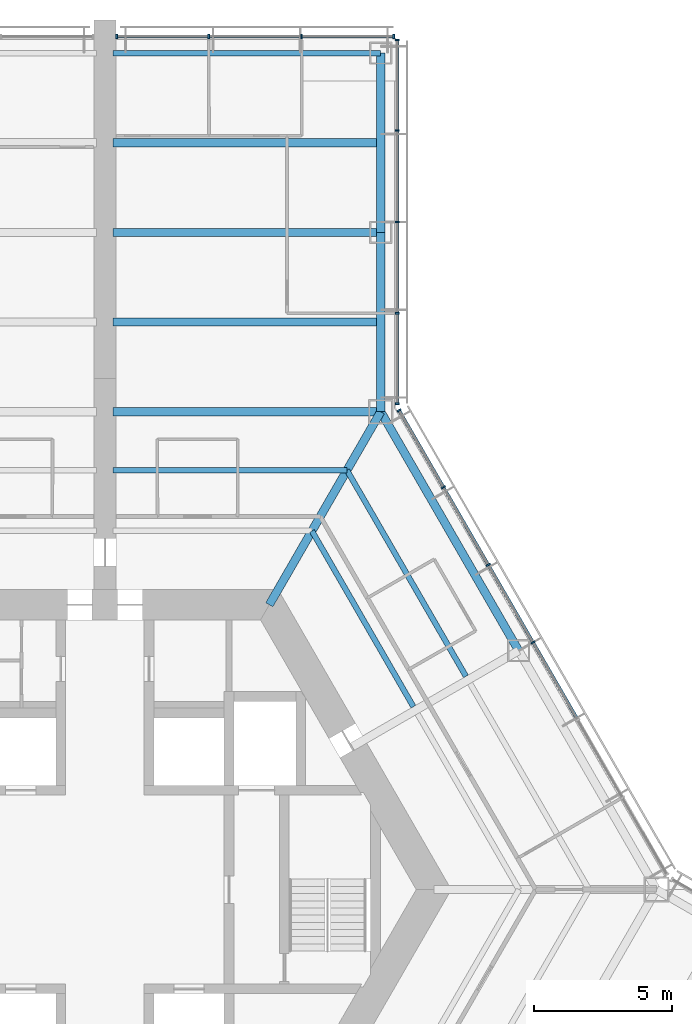
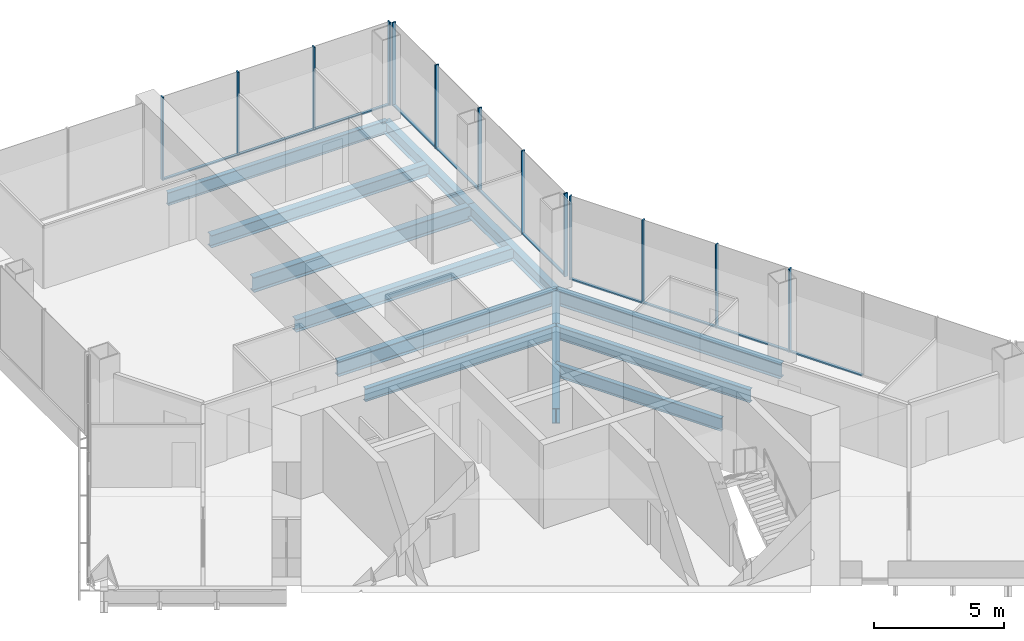
# One storey, part 8 of 18: 24 members, 12 beams, 3 elements without a shape of their own.
"""IFC4 building model written with IfcOpenShell, lengths in metres."""

from ifc_helpers import new_model, si_unit, direction, frame, origin, origin_2d, place, context, subcontext, project, spatial, rectangle, i_section, extrude, material, material_profile, profile_set, type_object, element, aggregate, save


model = new_model("IFC4")

# Units and contexts
model_context = context("Model", 3, precision=1e-05, world=origin(), true_north=direction((0.0, 1.0)))
body_context = subcontext(model_context, "Body", "Model", "MODEL_VIEW")
ifc_project = project(units=[si_unit("LENGTHUNIT", "METRE"), si_unit("AREAUNIT", "SQUARE_METRE"), si_unit("VOLUMEUNIT", "CUBIC_METRE"), si_unit("PLANEANGLEUNIT", "RADIAN"), si_unit("MASSUNIT", "GRAM", prefix="KILO")], contexts=[model_context])

# Site, building, storey
site_placement = place(None, origin())
site = spatial("IfcSite", under=ifc_project, at=site_placement, CompositionType="ELEMENT")
building_placement = place(site_placement, origin())
building = spatial("IfcBuilding", under=site, at=building_placement, Name="Kasaneha Research Tower", CompositionType="ELEMENT")
storey_placement = place(building_placement, frame((0.0, 0.0, 80.699951171875)))
storey = spatial("IfcBuildingStorey", under=building, at=storey_placement, Name="L20", CompositionType="ELEMENT", Elevation=80.699951171875)

# Beams
ifc_material_1 = material(Name="Steel SN490B", Category="steel")
ifc_material_profile_1 = material_profile(ifc_material_1, i_section(OverallWidth=0.199951171875, OverallDepth=0.60009765625, WebThickness=0.010986328125, FlangeThickness=0.01708984375, FilletRadius=0.012939453125, at=origin_2d()), Name="H-600x200x11x17")
ifc_profile_set_1 = profile_set([ifc_material_profile_1], Name="Steel SN490B")
beam_type_1 = type_object("IfcBeamType", Name="B1-3 secondary beam H-600x200x11x17", PredefinedType="JOIST", material=ifc_profile_set_1)
beam_1_placement = place(storey_placement, frame((7.505615234375, 13.0, -0.449951171875), z_axis=(0.499994443168, -0.866028611999, 0.0), x_axis=(0.866028611999, 0.499994443168, 0.0)))
element("IfcBeam", 1, at=beam_1_placement, inside=storey, type_object=beam_type_1, Name="Secondary beam RS030R1 L20", PredefinedType="JOIST", context=body_context, shape_type="SweptSolid", body=[
    extrude(i_section(OverallWidth=0.199951171875, OverallDepth=0.60009765625, WebThickness=0.010986328125, FlangeThickness=0.01708984375, FilletRadius=0.012939453125, at=origin_2d()), origin(), (0.0, 0.0, 1.0), 7.35546875),
])
beam_2_placement = place(storey_placement, frame((8.775634765625, 15.199951171875, -0.449951171875), z_axis=(0.500017275495, -0.866015429543, 0.0), x_axis=(0.866015429543, 0.500017275495, 0.0)))
element("IfcBeam", 2, at=beam_2_placement, inside=storey, type_object=beam_type_1, Name="Secondary beam RS030R2 L20", PredefinedType="JOIST", context=body_context, shape_type="SweptSolid", body=[
    extrude(i_section(OverallWidth=0.199951171875, OverallDepth=0.60009765625, WebThickness=0.010986328125, FlangeThickness=0.01708984375, FilletRadius=0.012939453125, at=origin_2d()), origin(), (0.0, 0.0, 1.0), 8.625732421875),
])
beam_3_placement = place(storey_placement, frame((8.775634765625, 15.199951171875, -0.449951171875), z_axis=(-1.0, 0.0, 0.0), x_axis=(0.0, -1.0, 0.0)))
element("IfcBeam", 3, at=beam_3_placement, inside=storey, type_object=beam_type_1, Name="Secondary beam RS090L2 L20", PredefinedType="JOIST", context=body_context, shape_type="SweptSolid", body=[
    extrude(i_section(OverallWidth=0.199951171875, OverallDepth=0.60009765625, WebThickness=0.010986328125, FlangeThickness=0.01708984375, FilletRadius=0.012939453125, at=origin_2d()), origin(), (0.0, 0.0, 1.0), 8.4755859375),
])
ifc_material_2 = material(Name="Steel SN490B", Category="steel")
ifc_material_profile_2 = material_profile(ifc_material_2, i_section(OverallWidth=0.300048828125, OverallDepth=0.58203125, WebThickness=0.011962890625, FlangeThickness=0.01708984375, FilletRadius=0.012939453125, at=origin_2d()), Name="H-582x300x12x17")
ifc_profile_set_2 = profile_set([ifc_material_profile_2], Name="Steel SN490B")
beam_type_2 = type_object("IfcBeamType", Name="B2-3 secondary beam H-582x300x12x17", PredefinedType="JOIST", material=ifc_profile_set_2)
for number, where, z_axis, x_axis, name in (
    (4, (10.0, 20.570556640625, -0.44091796875), (-1.0, 0.0, 0.0), (0.0, -1.0, 0.0), "Secondary beam WBAP1 L20"),
    (5, (10.0, 27.070556640625, -0.44091796875), (-1.0, 0.0, 0.0), (0.0, -1.0, 0.0), "Secondary beam WBAP2 L20"),
):
    element("IfcBeam", number, at=place(storey_placement, frame(where, z_axis=z_axis, x_axis=x_axis)), inside=storey, type_object=beam_type_2, Name=name, PredefinedType="JOIST", context=body_context, shape_type="SweptSolid", body=[
        extrude(i_section(OverallWidth=0.300048828125, OverallDepth=0.58203125, WebThickness=0.011962890625, FlangeThickness=0.01708984375, FilletRadius=0.012939453125, at=origin_2d()), origin(), (0.0, 0.0, 1.0), 9.699951171875),
    ])

# Curtain wall, members
ifc_material_3 = material(Name="Glass and aluminium", Category="aluminium")
curtain_wall_type = type_object("IfcCurtainWallType", Name="Low-rise office curtain wall", PredefinedType="USERDEFINED", material=ifc_material_3)
curtain_wall_1_placement = place(storey_placement, origin())
curtain_wall_1 = element("IfcCurtainWall", 6, at=curtain_wall_1_placement, inside=storey, type_object=curtain_wall_type, Name="CW-O1 L20 run 07a", ObjectType="UNITISED CURTAIN WALL", PredefinedType="USERDEFINED")
ifc_material_4 = material(Name="Aluminium 6063-T6", Category="aluminium")
ifc_material_profile_3 = material_profile(ifc_material_4, rectangle(XDim=0.06005859375, YDim=0.159912109375, at=origin_2d()), Name="CW-O1 mullion 60x160")
ifc_profile_set_3 = profile_set([ifc_material_profile_3], Name="Aluminium 6063-T6")
member_type_1 = type_object("IfcMemberType", Name="CW-O1 mullion", PredefinedType="MULLION", material=ifc_profile_set_3)
member_1_placement = place(storey_placement, frame((15.51953125, 8.960205078125, 0.0), z_axis=(0.0, 0.0, 1.0), x_axis=(-0.49999996188, 0.866025425793, 0.0)))
member_1 = element("IfcMember", 7, at=member_1_placement, type_object=member_type_1, Name="CW-O1 mullion 4", PredefinedType="MULLION", context=body_context, shape_type="SweptSolid", body=[
    extrude(rectangle(XDim=0.06005859375, YDim=0.159912109375, at=origin_2d()), origin(), (0.0, 0.0, 1.0), 3.900146484375),
])
member_2_placement = place(storey_placement, frame((13.896484375, 11.771728515625, 0.0), z_axis=(0.0, 0.0, 1.0), x_axis=(-0.49999996188, 0.866025425793, 0.0)))
member_2 = element("IfcMember", 8, at=member_2_placement, type_object=member_type_1, Name="CW-O1 mullion 5", PredefinedType="MULLION", context=body_context, shape_type="SweptSolid", body=[
    extrude(rectangle(XDim=0.06005859375, YDim=0.159912109375, at=origin_2d()), origin(), (0.0, 0.0, 1.0), 3.900146484375),
])
member_3_placement = place(storey_placement, frame((12.273193359375, 14.583251953125, 0.0), z_axis=(0.0, 0.0, 1.0), x_axis=(-0.49999996188, 0.866025425793, 0.0)))
member_3 = element("IfcMember", 9, at=member_3_placement, type_object=member_type_1, Name="CW-O1 mullion 6", PredefinedType="MULLION", context=body_context, shape_type="SweptSolid", body=[
    extrude(rectangle(XDim=0.06005859375, YDim=0.159912109375, at=origin_2d()), origin(), (0.0, 0.0, 1.0), 3.900146484375),
])
member_4_placement = place(storey_placement, frame((10.6650390625, 17.36865234375, 0.0), z_axis=(0.0, 0.0, 1.0), x_axis=(-0.49999996188, 0.866025425793, 0.0)))
member_4 = element("IfcMember", 10, at=member_4_placement, type_object=member_type_1, Name="CW-O1 mullion 7", PredefinedType="MULLION", context=body_context, shape_type="SweptSolid", body=[
    extrude(rectangle(XDim=0.06005859375, YDim=0.159912109375, at=origin_2d()), origin(), (0.0, 0.0, 1.0), 3.900146484375),
])

curtain_wall_2_placement = place(storey_placement, origin())
curtain_wall_2 = element("IfcCurtainWall", 11, at=curtain_wall_2_placement, inside=storey, type_object=curtain_wall_type, Name="CW-O1 L20 run 08a", ObjectType="UNITISED CURTAIN WALL", PredefinedType="USERDEFINED")
member_5_placement = place(storey_placement, frame((10.60009765625, 17.611328125, 0.0), z_axis=(0.0, 0.0, 1.0), x_axis=(0.0, 1.0, 0.0)))
member_5 = element("IfcMember", 12, at=member_5_placement, type_object=member_type_1, Name="CW-O1 mullion 1", PredefinedType="MULLION", context=body_context, shape_type="SweptSolid", body=[
    extrude(rectangle(XDim=0.06005859375, YDim=0.159912109375, at=origin_2d()), origin(), (0.0, 0.0, 1.0), 3.900146484375),
])
member_6_placement = place(storey_placement, frame((10.60009765625, 20.89111328125, 0.0), z_axis=(0.0, 0.0, 1.0), x_axis=(0.0, 1.0, 0.0)))
member_6 = element("IfcMember", 13, at=member_6_placement, type_object=member_type_1, Name="CW-O1 mullion 2", PredefinedType="MULLION", context=body_context, shape_type="SweptSolid", body=[
    extrude(rectangle(XDim=0.06005859375, YDim=0.159912109375, at=origin_2d()), origin(), (0.0, 0.0, 1.0), 3.900146484375),
])
member_7_placement = place(storey_placement, frame((10.60009765625, 24.200927734375, 0.0), z_axis=(0.0, 0.0, 1.0), x_axis=(0.0, 1.0, 0.0)))
member_7 = element("IfcMember", 14, at=member_7_placement, type_object=member_type_1, Name="CW-O1 mullion 3", PredefinedType="MULLION", context=body_context, shape_type="SweptSolid", body=[
    extrude(rectangle(XDim=0.06005859375, YDim=0.159912109375, at=origin_2d()), origin(), (0.0, 0.0, 1.0), 3.900146484375),
])
member_8_placement = place(storey_placement, frame((10.60009765625, 27.5107421875, 0.0), z_axis=(0.0, 0.0, 1.0), x_axis=(0.0, 1.0, 0.0)))
member_8 = element("IfcMember", 15, at=member_8_placement, type_object=member_type_1, Name="CW-O1 mullion 4", PredefinedType="MULLION", context=body_context, shape_type="SweptSolid", body=[
    extrude(rectangle(XDim=0.06005859375, YDim=0.159912109375, at=origin_2d()), origin(), (0.0, 0.0, 1.0), 3.900146484375),
])
member_9_placement = place(storey_placement, frame((10.60009765625, 30.79052734375, 0.0), z_axis=(0.0, 0.0, 1.0), x_axis=(0.0, 1.0, 0.0)))
member_9 = element("IfcMember", 16, at=member_9_placement, type_object=member_type_1, Name="CW-O1 mullion 5", PredefinedType="MULLION", context=body_context, shape_type="SweptSolid", body=[
    extrude(rectangle(XDim=0.06005859375, YDim=0.159912109375, at=origin_2d()), origin(), (0.0, 0.0, 1.0), 3.900146484375),
])

curtain_wall_3_placement = place(storey_placement, origin())
curtain_wall_3 = element("IfcCurtainWall", 17, at=curtain_wall_3_placement, inside=storey, type_object=curtain_wall_type, Name="CW-O1 L20 run 09a", ObjectType="UNITISED CURTAIN WALL", PredefinedType="USERDEFINED")
member_10_placement = place(storey_placement, frame((10.469970703125, 30.92041015625, 0.0), z_axis=(0.0, 0.0, 1.0), x_axis=(-1.0, 0.0, 0.0)))
member_10 = element("IfcMember", 18, at=member_10_placement, type_object=member_type_1, Name="CW-O1 mullion 1", PredefinedType="MULLION", context=body_context, shape_type="SweptSolid", body=[
    extrude(rectangle(XDim=0.06005859375, YDim=0.159912109375, at=origin_2d()), origin(), (0.0, 0.0, 1.0), 3.900146484375),
])
member_11_placement = place(storey_placement, frame((7.13330078125, 30.92041015625, 0.0), z_axis=(0.0, 0.0, 1.0), x_axis=(-1.0, 0.0, 0.0)))
member_11 = element("IfcMember", 19, at=member_11_placement, type_object=member_type_1, Name="CW-O1 mullion 2", PredefinedType="MULLION", context=body_context, shape_type="SweptSolid", body=[
    extrude(rectangle(XDim=0.06005859375, YDim=0.159912109375, at=origin_2d()), origin(), (0.0, 0.0, 1.0), 3.900146484375),
])
member_12_placement = place(storey_placement, frame((3.7666015625, 30.92041015625, 0.0), z_axis=(0.0, 0.0, 1.0), x_axis=(-1.0, 0.0, 0.0)))
member_12 = element("IfcMember", 20, at=member_12_placement, type_object=member_type_1, Name="CW-O1 mullion 3", PredefinedType="MULLION", context=body_context, shape_type="SweptSolid", body=[
    extrude(rectangle(XDim=0.06005859375, YDim=0.159912109375, at=origin_2d()), origin(), (0.0, 0.0, 1.0), 3.900146484375),
])
member_13_placement = place(storey_placement, frame((0.429931640625, 30.92041015625, 0.0), z_axis=(0.0, 0.0, 1.0), x_axis=(-1.0, 0.0, 0.0)))
member_13 = element("IfcMember", 21, at=member_13_placement, type_object=member_type_1, Name="CW-O1 mullion 4", PredefinedType="MULLION", context=body_context, shape_type="SweptSolid", body=[
    extrude(rectangle(XDim=0.06005859375, YDim=0.159912109375, at=origin_2d()), origin(), (0.0, 0.0, 1.0), 3.900146484375),
])

# Member
ifc_material_5 = material(Name="Aluminium 6063-T6", Category="aluminium")
ifc_material_profile_4 = material_profile(ifc_material_5, rectangle(XDim=0.1201171875, YDim=0.06005859375, at=origin_2d()), Name="CW-O1 transom 120x60")
ifc_profile_set_4 = profile_set([ifc_material_profile_4], Name="Aluminium 6063-T6")
member_type_2 = type_object("IfcMemberType", Name="CW-O1 transom", PredefinedType="USERDEFINED", material=ifc_profile_set_4)
member_14_placement = place(storey_placement, frame((17.1279296875, 6.1748046875, 0.030029296875), z_axis=(-0.500012062035, 0.866018439653, 0.0), x_axis=(-0.866018439653, -0.500012062035, 0.0)))
member_14 = element("IfcMember", 22, at=member_14_placement, type_object=member_type_2, Name="CW-O1 transom 3", ObjectType="TRANSOM", PredefinedType="USERDEFINED", context=body_context, shape_type="SweptSolid", body=[
    extrude(rectangle(XDim=0.1201171875, YDim=0.06005859375, at=origin_2d()), origin(), (0.0, 0.0, 1.0), 3.1865234375),
])

member_15_placement = place(storey_placement, frame((15.504638671875, 8.986328125, 0.030029296875), z_axis=(-0.500012062035, 0.866018439653, 0.0), x_axis=(-0.866018439653, -0.500012062035, 0.0)))
member_15 = element("IfcMember", 23, at=member_15_placement, type_object=member_type_2, Name="CW-O1 transom 4", ObjectType="TRANSOM", PredefinedType="USERDEFINED", context=body_context, shape_type="SweptSolid", body=[
    extrude(rectangle(XDim=0.1201171875, YDim=0.06005859375, at=origin_2d()), origin(), (0.0, 0.0, 1.0), 3.1865234375),
])

member_16_placement = place(storey_placement, frame((13.88134765625, 11.797607421875, 0.030029296875), z_axis=(-0.500012062035, 0.866018439653, 0.0), x_axis=(-0.866018439653, -0.500012062035, 0.0)))
member_16 = element("IfcMember", 24, at=member_16_placement, type_object=member_type_2, Name="CW-O1 transom 5", ObjectType="TRANSOM", PredefinedType="USERDEFINED", context=body_context, shape_type="SweptSolid", body=[
    extrude(rectangle(XDim=0.1201171875, YDim=0.06005859375, at=origin_2d()), origin(), (0.0, 0.0, 1.0), 3.1865234375),
])

member_17_placement = place(storey_placement, frame((12.25830078125, 14.609130859375, 0.030029296875), z_axis=(-0.500023726918, 0.866011704609, 0.0), x_axis=(-0.866011704609, -0.500023726918, 0.0)))
member_17 = element("IfcMember", 25, at=member_17_placement, type_object=member_type_2, Name="CW-O1 transom 6", ObjectType="TRANSOM", PredefinedType="USERDEFINED", context=body_context, shape_type="SweptSolid", body=[
    extrude(rectangle(XDim=0.1201171875, YDim=0.06005859375, at=origin_2d()), origin(), (0.0, 0.0, 1.0), 3.156494140625),
])

aggregate(curtain_wall_1, [member_1, member_2, member_3, member_4, member_14, member_15, member_16, member_17])

member_18_placement = place(storey_placement, frame((10.60009765625, 17.641357421875, 0.030029296875), z_axis=(0.0, 1.0, 0.0), x_axis=(-1.0, 0.0, 0.0)))
member_18 = element("IfcMember", 26, at=member_18_placement, type_object=member_type_2, Name="CW-O1 transom 1", ObjectType="TRANSOM", PredefinedType="USERDEFINED", context=body_context, shape_type="SweptSolid", body=[
    extrude(rectangle(XDim=0.1201171875, YDim=0.06005859375, at=origin_2d()), origin(), (0.0, 0.0, 1.0), 3.2197265625),
])

member_19_placement = place(storey_placement, frame((10.60009765625, 20.921142578125, 0.030029296875), z_axis=(0.0, 1.0, 0.0), x_axis=(-1.0, 0.0, 0.0)))
member_19 = element("IfcMember", 27, at=member_19_placement, type_object=member_type_2, Name="CW-O1 transom 2", ObjectType="TRANSOM", PredefinedType="USERDEFINED", context=body_context, shape_type="SweptSolid", body=[
    extrude(rectangle(XDim=0.1201171875, YDim=0.06005859375, at=origin_2d()), origin(), (0.0, 0.0, 1.0), 3.249755859375),
])

member_20_placement = place(storey_placement, frame((10.60009765625, 24.23095703125, 0.030029296875), z_axis=(0.0, 1.0, 0.0), x_axis=(-1.0, 0.0, 0.0)))
member_20 = element("IfcMember", 28, at=member_20_placement, type_object=member_type_2, Name="CW-O1 transom 3", ObjectType="TRANSOM", PredefinedType="USERDEFINED", context=body_context, shape_type="SweptSolid", body=[
    extrude(rectangle(XDim=0.1201171875, YDim=0.06005859375, at=origin_2d()), origin(), (0.0, 0.0, 1.0), 3.249755859375),
])

member_21_placement = place(storey_placement, frame((10.60009765625, 27.540771484375, 0.030029296875), z_axis=(0.0, 1.0, 0.0), x_axis=(-1.0, 0.0, 0.0)))
member_21 = element("IfcMember", 29, at=member_21_placement, type_object=member_type_2, Name="CW-O1 transom 4", ObjectType="TRANSOM", PredefinedType="USERDEFINED", context=body_context, shape_type="SweptSolid", body=[
    extrude(rectangle(XDim=0.1201171875, YDim=0.06005859375, at=origin_2d()), origin(), (0.0, 0.0, 1.0), 3.2197265625),
])

aggregate(curtain_wall_2, [member_5, member_6, member_7, member_8, member_9, member_18, member_19, member_20, member_21])

member_22_placement = place(storey_placement, frame((10.43994140625, 30.92041015625, 0.030029296875), z_axis=(-1.0, 0.0, 0.0), x_axis=(0.0, -1.0, 0.0)))
member_22 = element("IfcMember", 30, at=member_22_placement, type_object=member_type_2, Name="CW-O1 transom 1", ObjectType="TRANSOM", PredefinedType="USERDEFINED", context=body_context, shape_type="SweptSolid", body=[
    extrude(rectangle(XDim=0.1201171875, YDim=0.06005859375, at=origin_2d()), origin(), (0.0, 0.0, 1.0), 3.276611328125),
])

member_23_placement = place(storey_placement, frame((7.103271484375, 30.92041015625, 0.030029296875), z_axis=(-1.0, 0.0, 0.0), x_axis=(0.0, -1.0, 0.0)))
member_23 = element("IfcMember", 31, at=member_23_placement, type_object=member_type_2, Name="CW-O1 transom 2", ObjectType="TRANSOM", PredefinedType="USERDEFINED", context=body_context, shape_type="SweptSolid", body=[
    extrude(rectangle(XDim=0.1201171875, YDim=0.06005859375, at=origin_2d()), origin(), (0.0, 0.0, 1.0), 3.306640625),
])

member_24_placement = place(storey_placement, frame((3.736572265625, 30.92041015625, 0.030029296875), z_axis=(-1.0, 0.0, 0.0), x_axis=(0.0, -1.0, 0.0)))
member_24 = element("IfcMember", 32, at=member_24_placement, type_object=member_type_2, Name="CW-O1 transom 3", ObjectType="TRANSOM", PredefinedType="USERDEFINED", context=body_context, shape_type="SweptSolid", body=[
    extrude(rectangle(XDim=0.1201171875, YDim=0.06005859375, at=origin_2d()), origin(), (0.0, 0.0, 1.0), 3.276611328125),
])

aggregate(curtain_wall_3, [member_10, member_11, member_12, member_13, member_22, member_23, member_24])

# Beams
ifc_material_6 = material(Name="Steel SN490B", Category="steel")
ifc_material_profile_5 = material_profile(ifc_material_6, i_section(OverallWidth=0.300048828125, OverallDepth=0.699951171875, WebThickness=0.012939453125, FlangeThickness=0.02392578125, FilletRadius=0.01806640625, at=origin_2d()), Name="H-700x300x13x24")
ifc_profile_set_5 = profile_set([ifc_material_profile_5], Name="Steel SN490B")
beam_type_3 = type_object("IfcBeamType", Name="G1-3 radial girder H-700x300x13x24", PredefinedType="BEAM", material=ifc_profile_set_5)
beam_4_placement = place(storey_placement, frame((5.961181640625, 10.324951171875, -0.5), z_axis=(0.49999105496, 0.866030568144, 0.0), x_axis=(-0.866030568144, 0.49999105496, 0.0)))
element("IfcBeam", 33, at=beam_4_placement, inside=storey, type_object=beam_type_3, Name="Radial girder RV060 L20", PredefinedType="BEAM", context=body_context, shape_type="SweptSolid", body=[
    extrude(i_section(OverallWidth=0.300048828125, OverallDepth=0.699951171875, WebThickness=0.012939453125, FlangeThickness=0.02392578125, FilletRadius=0.01806640625, at=origin_2d()), origin(), (0.0, 0.0, 1.0), 8.077880859375),
])
ifc_material_7 = material(Name="Steel SN490B", Category="steel")
ifc_material_profile_6 = material_profile(ifc_material_7, i_section(OverallWidth=0.300048828125, OverallDepth=0.69189453125, WebThickness=0.012939453125, FlangeThickness=0.02001953125, FilletRadius=0.01806640625, at=origin_2d()), Name="H-692x300x13x20")
ifc_profile_set_6 = profile_set([ifc_material_profile_6], Name="Steel SN490B")
beam_type_4 = type_object("IfcBeamType", Name="G3-3 plate edge girder H-692x300x13x20", PredefinedType="BEAM", material=ifc_profile_set_6)
beam_5_placement = place(storey_placement, frame((10.0, 17.320556640625, -0.495849609375), z_axis=(-1.0, 0.0, 0.0), x_axis=(0.0, -1.0, 0.0)))
element("IfcBeam", 34, at=beam_5_placement, inside=storey, type_object=beam_type_4, Name="Plate edge girder PEAP L20", PredefinedType="BEAM", context=body_context, shape_type="SweptSolid", body=[
    extrude(i_section(OverallWidth=0.300048828125, OverallDepth=0.69189453125, WebThickness=0.012939453125, FlangeThickness=0.02001953125, FilletRadius=0.01806640625, at=origin_2d()), origin(), (0.0, 0.0, 1.0), 9.699951171875),
])
ifc_material_8 = material(Name="Steel SN490B", Category="steel")
ifc_material_profile_7 = material_profile(ifc_material_8, i_section(OverallWidth=0.300048828125, OverallDepth=0.699951171875, WebThickness=0.012939453125, FlangeThickness=0.02392578125, FilletRadius=0.01806640625, at=origin_2d()), Name="H-700x300x13x24")
ifc_profile_set_7 = profile_set([ifc_material_profile_7], Name="Steel SN490B")
beam_type_5 = type_object("IfcBeamType", Name="G4-3 wing girder H-700x300x13x24", PredefinedType="BEAM", material=ifc_profile_set_7)
beam_6_placement = place(storey_placement, frame((10.0, 23.820556640625, -0.5), z_axis=(-1.0, 0.0, 0.0), x_axis=(0.0, -1.0, 0.0)))
element("IfcBeam", 35, at=beam_6_placement, inside=storey, type_object=beam_type_5, Name="Wing girder WGAP L20", PredefinedType="BEAM", context=body_context, shape_type="SweptSolid", body=[
    extrude(i_section(OverallWidth=0.300048828125, OverallDepth=0.699951171875, WebThickness=0.012939453125, FlangeThickness=0.02392578125, FilletRadius=0.01806640625, at=origin_2d()), origin(), (0.0, 0.0, 1.0), 9.699951171875),
])
ifc_material_9 = material(Name="Steel SN490B", Category="steel")
ifc_material_profile_8 = material_profile(ifc_material_9, i_section(OverallWidth=0.300048828125, OverallDepth=0.69189453125, WebThickness=0.012939453125, FlangeThickness=0.02001953125, FilletRadius=0.01806640625, at=origin_2d()), Name="H-692x300x13x20")
ifc_profile_set_8 = profile_set([ifc_material_profile_8], Name="Steel SN490B")
beam_type_6 = type_object("IfcBeamType", Name="SB1-3 spandrel beam H-692x300x13x20", PredefinedType="SPANDREL", material=ifc_profile_set_8)
beam_7_placement = place(storey_placement, frame((10.0, 17.320556640625, -0.495849609375), z_axis=(0.499993662806, -0.866029062534, 0.0), x_axis=(0.866029062534, 0.499993662806, 0.0)))
element("IfcBeam", 36, at=beam_7_placement, inside=storey, type_object=beam_type_6, Name="Spandrel beam SR030R L20", PredefinedType="SPANDREL", context=body_context, shape_type="SweptSolid", body=[
    extrude(i_section(OverallWidth=0.300048828125, OverallDepth=0.69189453125, WebThickness=0.012939453125, FlangeThickness=0.02001953125, FilletRadius=0.01806640625, at=origin_2d()), origin(), (0.0, 0.0, 1.0), 10.000244140625),
])
ifc_material_10 = material(Name="Steel SN490B", Category="steel")
ifc_material_profile_9 = material_profile(ifc_material_10, i_section(OverallWidth=0.300048828125, OverallDepth=0.58203125, WebThickness=0.011962890625, FlangeThickness=0.01708984375, FilletRadius=0.012939453125, at=origin_2d()), Name="H-582x300x12x17")
ifc_profile_set_9 = profile_set([ifc_material_profile_9], Name="Steel SN490B")
beam_type_7 = type_object("IfcBeamType", Name="SB2-3 spandrel beam H-582x300x12x17", PredefinedType="SPANDREL", material=ifc_profile_set_9)
for number, where, z_axis, x_axis, name in (
    (37, (10.0, 17.320556640625, -0.44091796875), (0.0, 1.0, 0.0), (-1.0, 0.0, 0.0), "Spandrel beam WSAP1 L20"),
    (38, (10.0, 23.820556640625, -0.44091796875), (0.0, 1.0, 0.0), (-1.0, 0.0, 0.0), "Spandrel beam WSAP2 L20"),
):
    element("IfcBeam", number, at=place(storey_placement, frame(where, z_axis=z_axis, x_axis=x_axis)), inside=storey, type_object=beam_type_7, Name=name, PredefinedType="SPANDREL", context=body_context, shape_type="SweptSolid", body=[
        extrude(i_section(OverallWidth=0.300048828125, OverallDepth=0.58203125, WebThickness=0.011962890625, FlangeThickness=0.01708984375, FilletRadius=0.012939453125, at=origin_2d()), origin(), (0.0, 0.0, 1.0), 6.5),
    ])
ifc_material_11 = material(Name="Steel SN490B", Category="steel")
ifc_material_profile_10 = material_profile(ifc_material_11, i_section(OverallWidth=0.199951171875, OverallDepth=0.60009765625, WebThickness=0.010986328125, FlangeThickness=0.01708984375, FilletRadius=0.012939453125, at=origin_2d()), Name="H-600x200x11x17")
ifc_profile_set_10 = profile_set([ifc_material_profile_10], Name="Steel SN490B")
beam_type_8 = type_object("IfcBeamType", Name="SB3-3 spandrel beam H-600x200x11x17", PredefinedType="SPANDREL", material=ifc_profile_set_10)
beam_8_placement = place(storey_placement, frame((10.0, 30.320556640625, -0.449951171875), z_axis=(-1.0, 0.0, 0.0), x_axis=(0.0, -1.0, 0.0)))
element("IfcBeam", 39, at=beam_8_placement, inside=storey, type_object=beam_type_8, Name="Spandrel beam WTAP L20", PredefinedType="SPANDREL", context=body_context, shape_type="SweptSolid", body=[
    extrude(i_section(OverallWidth=0.199951171875, OverallDepth=0.60009765625, WebThickness=0.010986328125, FlangeThickness=0.01708984375, FilletRadius=0.012939453125, at=origin_2d()), origin(), (0.0, 0.0, 1.0), 9.699951171875),
])

save(model, "model.ifc")
